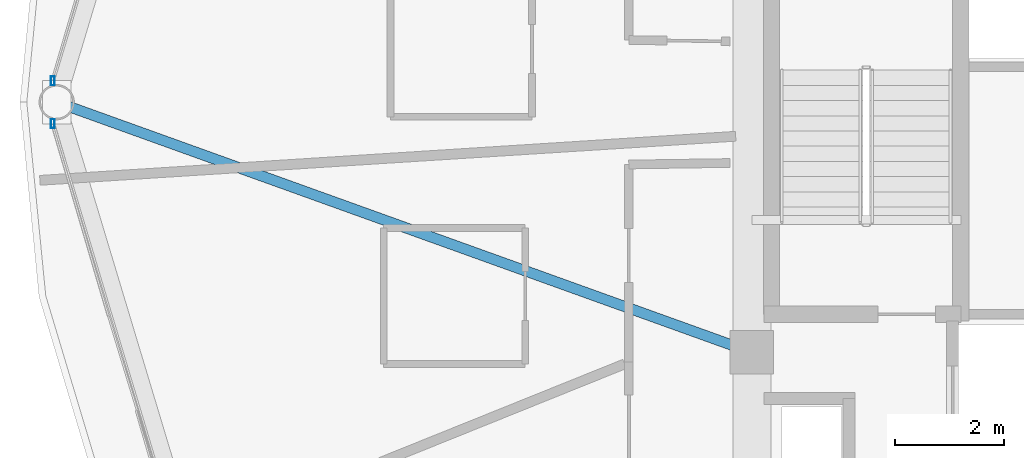
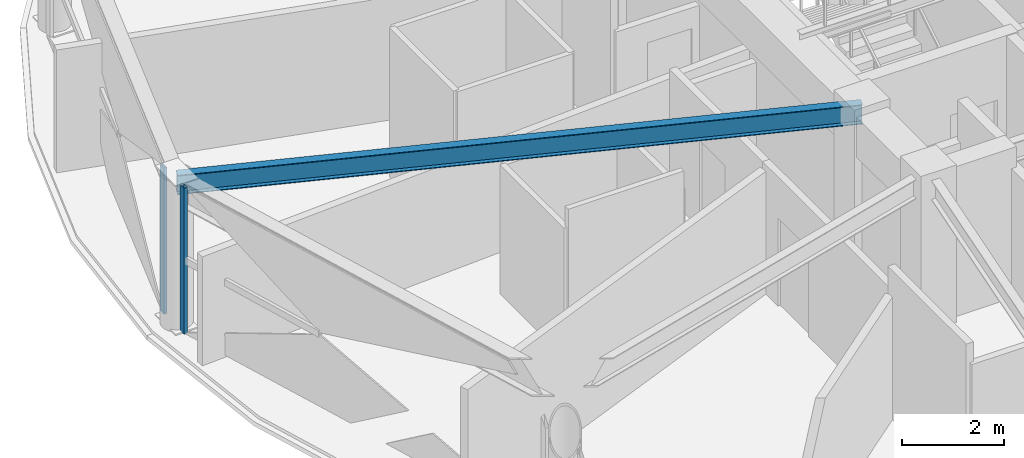
# One storey, part 7 of 30: 2 members, 1 beam, 2 elements without a shape of their own.
"""IFC4 building model written with IfcOpenShell, lengths in metres."""

from ifc_helpers import new_model, si_unit, direction, frame, origin, origin_2d, place, context, subcontext, project, spatial, hollow_rectangle, i_section, extrude, material, layer, layer_set, material_profile, profile_set, type_object, element, aggregate, save


model = new_model("IFC4")

# Units and contexts
model_context = context("Model", 3, precision=1e-05, world=origin(), true_north=direction((0.0, 1.0)))
body_context = subcontext(model_context, "Body", "Model", "MODEL_VIEW")
ifc_project = project(units=[si_unit("LENGTHUNIT", "METRE"), si_unit("AREAUNIT", "SQUARE_METRE"), si_unit("VOLUMEUNIT", "CUBIC_METRE"), si_unit("PLANEANGLEUNIT", "RADIAN"), si_unit("MASSUNIT", "GRAM", prefix="KILO")], contexts=[model_context])

# Site, building, storey
site_placement = place(None, origin())
site = spatial("IfcSite", under=ifc_project, at=site_placement, CompositionType="ELEMENT")
building_placement = place(site_placement, origin())
building = spatial("IfcBuilding", under=site, at=building_placement, Name="Vantalir Tower", CompositionType="ELEMENT")
storey_placement = place(building_placement, frame((0.0, 0.0, 201.14990234375)))
storey = spatial("IfcBuildingStorey", under=building, at=storey_placement, Name="L50", CompositionType="ELEMENT", Elevation=201.14990234375)

# Beam
ifc_material_1 = material(Name="Steel S355", Category="steel")
ifc_material_profile_1 = material_profile(ifc_material_1, i_section(OverallWidth=0.19189453125, OverallDepth=0.462890625, WebThickness=0.010498046875, FlangeThickness=0.017578125, at=origin_2d()), Name="Steel S355")
ifc_profile_set_1 = profile_set([ifc_material_profile_1], Name="Steel S355")
beam_type = type_object("IfcBeamType", Name="BM-RB-457x191", PredefinedType="BEAM", material=ifc_profile_set_1)
beam_placement = place(storey_placement, frame((9.117919921875, 25.0, 3.338134765625), z_axis=(0.940920627421, -0.338627188652, 0.0), x_axis=(0.338627188652, 0.940920627421, 0.0)))
element("IfcBeam", 1, at=beam_placement, inside=storey, type_object=beam_type, Name="L50 Radial Floor Beam 07", PredefinedType="BEAM", context=body_context, shape_type="SweptSolid", body=[
    extrude(i_section(OverallWidth=0.19189453125, OverallDepth=0.462890625, WebThickness=0.010498046875, FlangeThickness=0.017578125, at=origin_2d()), origin(), (0.0, 0.0, 1.0), 13.58447265625),
])

# Curtain wall, member
ifc_material_2 = material(Name="Champagne-silver PVDF aluminium and double-silver Low-E glass", Category="aluminium")
ifc_layer = layer(ifc_material_2, 0.2099609375)
ifc_layer_set = layer_set([ifc_layer], Name="Champagne-silver PVDF aluminium and double-silver Low-E glass")
curtain_wall_type = type_object("IfcCurtainWallType", Name="CW-DIAMOND-Z3", PredefinedType="USERDEFINED", material=ifc_layer_set)
curtain_wall_1_placement = place(storey_placement, origin())
curtain_wall_1 = element("IfcCurtainWall", 2, at=curtain_wall_1_placement, inside=storey, type_object=curtain_wall_type, Name="L50 Quilted Pyramid-Diamond Curtain Wall S06", ObjectType="UNITISED CURTAIN WALL", PredefinedType="USERDEFINED")
ifc_material_3 = material(Name="Champagne-silver PVDF aluminium 6063-T6", Category="aluminium")
ifc_material_profile_2 = material_profile(ifc_material_3, hollow_rectangle(XDim=0.070068359375, YDim=0.1650390625, WallThickness=0.00390625, at=origin_2d()), Name="Champagne-silver PVDF aluminium 6063-T6")
ifc_profile_set_2 = profile_set([ifc_material_profile_2], Name="Champagne-silver PVDF aluminium 6063-T6")
member_type = type_object("IfcMemberType", Name="CWM-165x70", PredefinedType="MULLION", material=ifc_profile_set_2)
member_1_placement = place(storey_placement, frame((9.0458984375, 25.39306640625, 0.045166015625), z_axis=(0.0, 0.0, 1.0), x_axis=(1.0, 0.0, 0.0)))
member_1 = element("IfcMember", 3, at=member_1_placement, type_object=member_type, Name="CW-L50-S06 Mullion 2", PredefinedType="MULLION", context=body_context, shape_type="SweptSolid", body=[
    extrude(hollow_rectangle(XDim=0.070068359375, YDim=0.1650390625, WallThickness=0.00390625, at=origin_2d()), origin(), (0.0, 0.0, 1.0), 3.47998046875),
])
aggregate(curtain_wall_1, [member_1])

curtain_wall_2_placement = place(storey_placement, origin())
curtain_wall_2 = element("IfcCurtainWall", 4, at=curtain_wall_2_placement, inside=storey, type_object=curtain_wall_type, Name="L50 Quilted Pyramid-Diamond Curtain Wall S07", ObjectType="UNITISED CURTAIN WALL", PredefinedType="USERDEFINED")
member_2_placement = place(storey_placement, frame((9.0458984375, 24.60693359375, 0.045166015625), z_axis=(0.0, 0.0, 1.0), x_axis=(1.0, 0.0, 0.0)))
member_2 = element("IfcMember", 5, at=member_2_placement, type_object=member_type, Name="CW-L50-S07 Mullion 1", PredefinedType="MULLION", context=body_context, shape_type="SweptSolid", body=[
    extrude(hollow_rectangle(XDim=0.070068359375, YDim=0.1650390625, WallThickness=0.00390625, at=origin_2d()), origin(), (0.0, 0.0, 1.0), 3.47998046875),
])
aggregate(curtain_wall_2, [member_2])

save(model, "model.ifc")
